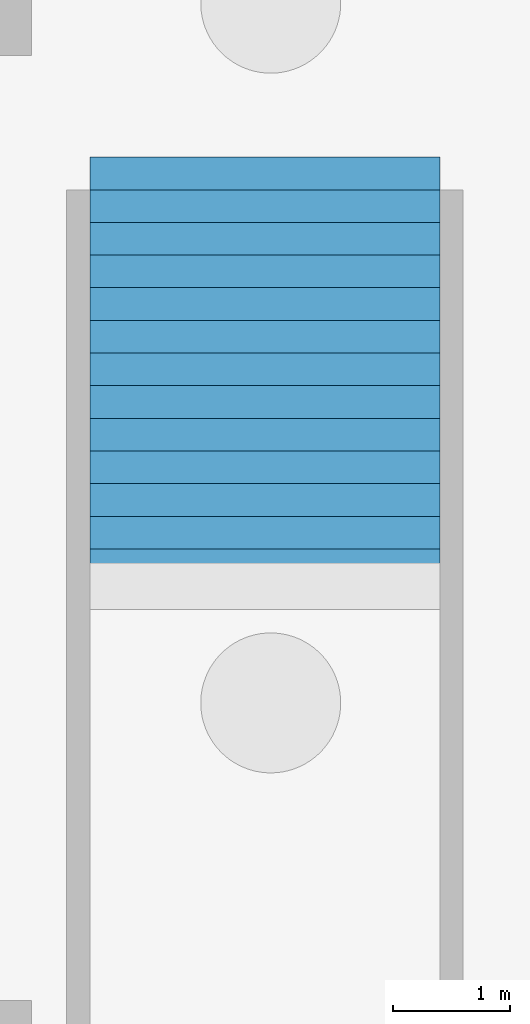
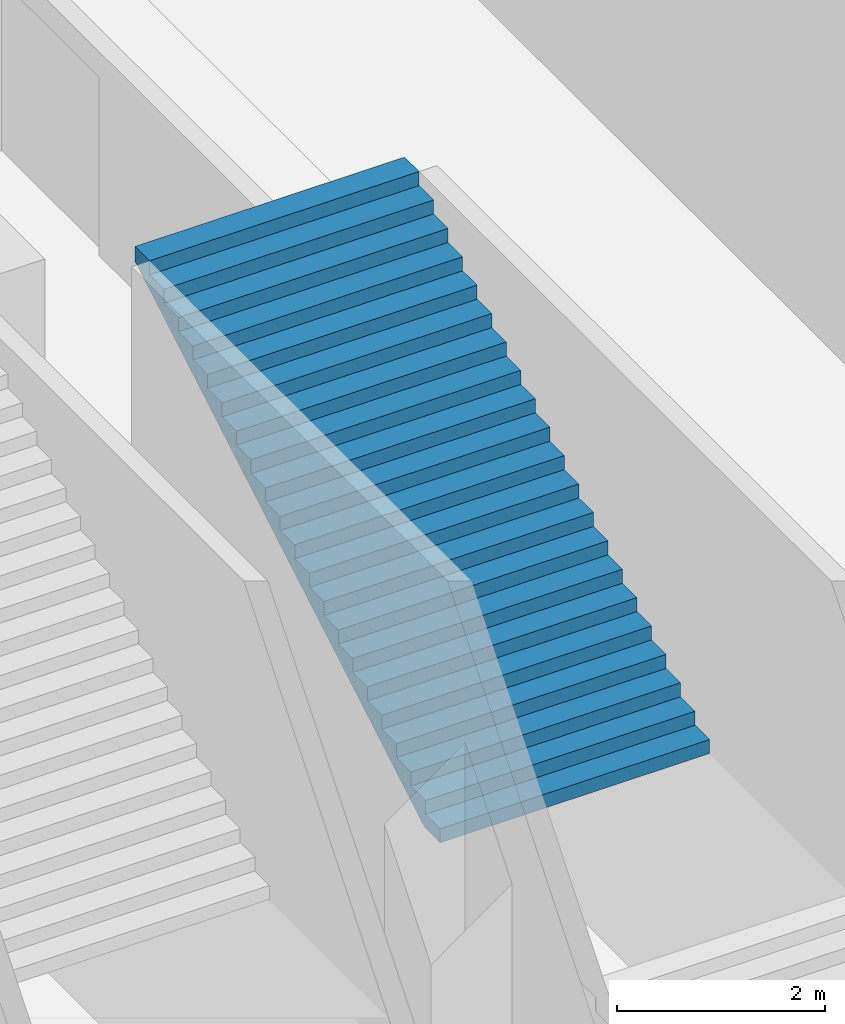
# One storey, part 10 of 16: 1 stair flight, 1 element without a shape of its own.
"""IFC4 building model written with IfcOpenShell, lengths in metres."""

from ifc_helpers import new_model, si_unit, direction, frame, origin, place, context, subcontext, project, spatial, faceted_brep, material, type_object, element, aggregate, save


model = new_model("IFC4")

# Units and contexts
model_context = context("Model", 3, precision=1e-05, world=origin(), true_north=direction((0.0, 1.0)))
body_context = subcontext(model_context, "Body", "Model", "MODEL_VIEW")
ifc_project = project(units=[si_unit("LENGTHUNIT", "METRE"), si_unit("AREAUNIT", "SQUARE_METRE"), si_unit("VOLUMEUNIT", "CUBIC_METRE"), si_unit("PLANEANGLEUNIT", "RADIAN"), si_unit("MASSUNIT", "GRAM", prefix="KILO")], contexts=[model_context])

# Site, building, storey
site_placement = place(None, origin())
site = spatial("IfcSite", under=ifc_project, at=site_placement, CompositionType="ELEMENT")
building_placement = place(site_placement, origin())
building = spatial("IfcBuilding", under=site, at=building_placement, Name="Ogive Plaza Stadium", CompositionType="ELEMENT")
storey_placement = place(building_placement, frame((0.0, 0.0, -11.39990234375)))
storey = spatial("IfcBuildingStorey", under=building, at=storey_placement, Name="B2", CompositionType="ELEMENT", Elevation=-11.39990234375)

# Stair, stair flight
ifc_material_1 = material(Name="Concrete C40/50", Category="concrete")
stair_type = type_object("IfcStairType", Name="Station stair 3000", PredefinedType="TWO_STRAIGHT_RUN_STAIR", material=ifc_material_1)
stair_placement = place(storey_placement, origin())
stair = element("IfcStair", 1, at=stair_placement, inside=storey, type_object=stair_type, Name="Stair PS2", PredefinedType="TWO_STRAIGHT_RUN_STAIR")
ifc_material_2 = material(Name="Concrete C40/50", Category="concrete")
stair_flight_type = type_object("IfcStairFlightType", Name="Station stair flight 3000", PredefinedType="STRAIGHT", material=ifc_material_2)
stair_flight_placement = place(storey_placement, frame((109.949951171875, -34.199951171875, 3.449951171875), z_axis=(0.0, 0.0, 1.0), x_axis=(0.0, 1.0, 0.0)))
stair_flight = element("IfcStairFlight", 2, at=stair_flight_placement, type_object=stair_flight_type, Name="PS2 flight 2", NumberOfRisers=21, NumberOfTreads=20, PredefinedType="STRAIGHT", RiserHeight=0.164285714, TreadLength=0.28, context=body_context, shape_type="Brep", body=[
    faceted_brep([(0.296142578125, -1.5, 0.0), (5.8798828125, -1.5, 3.276123046875), (5.8798828125, -1.5, 3.449951171875), (5.60009765625, -1.5, 3.449951171875), (5.60009765625, -1.5, 3.28564453125), (5.320068359375, -1.5, 3.28564453125), (5.320068359375, -1.5, 3.121337890625), (5.0400390625, -1.5, 3.121337890625), (5.0400390625, -1.5, 2.95703125), (4.760009765625, -1.5, 2.95703125), (4.760009765625, -1.5, 2.79296875), (4.47998046875, -1.5, 2.79296875), (4.47998046875, -1.5, 2.628662109375), (4.199951171875, -1.5, 2.628662109375), (4.199951171875, -1.5, 2.46435546875), (3.919921875, -1.5, 2.46435546875), (3.919921875, -1.5, 2.300048828125), (3.639892578125, -1.5, 2.300048828125), (3.639892578125, -1.5, 2.1357421875), (3.360107421875, -1.5, 2.1357421875), (3.360107421875, -1.5, 1.971435546875), (3.080078125, -1.5, 1.971435546875), (3.080078125, -1.5, 1.80712890625), (2.800048828125, -1.5, 1.80712890625), (2.800048828125, -1.5, 1.642822265625), (2.52001953125, -1.5, 1.642822265625), (2.52001953125, -1.5, 1.478515625), (2.239990234375, -1.5, 1.478515625), (2.239990234375, -1.5, 1.314208984375), (1.9599609375, -1.5, 1.314208984375), (1.9599609375, -1.5, 1.14990234375), (1.679931640625, -1.5, 1.14990234375), (1.679931640625, -1.5, 0.985595703125), (1.39990234375, -1.5, 0.985595703125), (1.39990234375, -1.5, 0.821533203125), (1.1201171875, -1.5, 0.821533203125), (1.1201171875, -1.5, 0.6572265625), (0.840087890625, -1.5, 0.6572265625), (0.840087890625, -1.5, 0.492919921875), (0.56005859375, -1.5, 0.492919921875), (0.56005859375, -1.5, 0.32861328125), (0.280029296875, -1.5, 0.32861328125), (0.280029296875, -1.5, 0.164306640625), (0.0, -1.5, 0.164306640625), (0.0, -1.5, 0.0), (0.0, 1.5, 0.0), (0.0, 1.5, 0.164306640625), (0.280029296875, 1.5, 0.164306640625), (0.280029296875, 1.5, 0.32861328125), (0.56005859375, 1.5, 0.32861328125), (0.56005859375, 1.5, 0.492919921875), (0.840087890625, 1.5, 0.492919921875), (0.840087890625, 1.5, 0.6572265625), (1.1201171875, 1.5, 0.6572265625), (1.1201171875, 1.5, 0.821533203125), (1.39990234375, 1.5, 0.821533203125), (1.39990234375, 1.5, 0.985595703125), (1.679931640625, 1.5, 0.985595703125), (1.679931640625, 1.5, 1.14990234375), (1.9599609375, 1.5, 1.14990234375), (1.9599609375, 1.5, 1.314208984375), (2.239990234375, 1.5, 1.314208984375), (2.239990234375, 1.5, 1.478515625), (2.52001953125, 1.5, 1.478515625), (2.52001953125, 1.5, 1.642822265625), (2.800048828125, 1.5, 1.642822265625), (2.800048828125, 1.5, 1.80712890625), (3.080078125, 1.5, 1.80712890625), (3.080078125, 1.5, 1.971435546875), (3.360107421875, 1.5, 1.971435546875), (3.360107421875, 1.5, 2.1357421875), (3.639892578125, 1.5, 2.1357421875), (3.639892578125, 1.5, 2.300048828125), (3.919921875, 1.5, 2.300048828125), (3.919921875, 1.5, 2.46435546875), (4.199951171875, 1.5, 2.46435546875), (4.199951171875, 1.5, 2.628662109375), (4.47998046875, 1.5, 2.628662109375), (4.47998046875, 1.5, 2.79296875), (4.760009765625, 1.5, 2.79296875), (4.760009765625, 1.5, 2.95703125), (5.0400390625, 1.5, 2.95703125), (5.0400390625, 1.5, 3.121337890625), (5.320068359375, 1.5, 3.121337890625), (5.320068359375, 1.5, 3.28564453125), (5.60009765625, 1.5, 3.28564453125), (5.60009765625, 1.5, 3.449951171875), (5.8798828125, 1.5, 3.449951171875), (5.8798828125, 1.5, 3.276123046875), (0.296142578125, 1.5, 0.0), (0.296142578125, -1.166748046875, 0.0), (5.8798828125, -1.166748046875, 3.276123046875), (0.296142578125, -0.833251953125, 0.0), (5.8798828125, -0.833251953125, 3.276123046875), (0.296142578125, -0.5, 0.0), (5.8798828125, -0.5, 3.276123046875), (0.296142578125, -0.166748046875, 0.0), (5.8798828125, -0.166748046875, 3.276123046875), (0.296142578125, 0.166748046875, 0.0), (5.8798828125, 0.166748046875, 3.276123046875), (0.296142578125, 0.5, 0.0), (5.8798828125, 0.5, 3.276123046875), (0.296142578125, 0.833251953125, 0.0), (5.8798828125, 0.833251953125, 3.276123046875), (0.296142578125, 1.166748046875, 0.0), (5.8798828125, 1.166748046875, 3.276123046875), (5.8798828125, -1.166748046875, 3.449951171875), (5.8798828125, -0.833251953125, 3.449951171875), (5.8798828125, -0.5, 3.449951171875), (5.8798828125, -0.166748046875, 3.449951171875), (5.8798828125, 0.166748046875, 3.449951171875), (5.8798828125, 0.5, 3.449951171875), (5.8798828125, 0.833251953125, 3.449951171875), (5.8798828125, 1.166748046875, 3.449951171875), (5.60009765625, -1.166748046875, 3.449951171875), (5.60009765625, -0.833251953125, 3.449951171875), (5.60009765625, -0.5, 3.449951171875), (5.60009765625, -0.166748046875, 3.449951171875), (5.60009765625, 0.166748046875, 3.449951171875), (5.60009765625, 0.5, 3.449951171875), (5.60009765625, 0.833251953125, 3.449951171875), (5.60009765625, 1.166748046875, 3.449951171875), (5.60009765625, -1.166748046875, 3.28564453125), (5.60009765625, -0.833251953125, 3.28564453125), (5.60009765625, -0.5, 3.28564453125), (5.60009765625, -0.166748046875, 3.28564453125), (5.60009765625, 0.166748046875, 3.28564453125), (5.60009765625, 0.5, 3.28564453125), (5.60009765625, 0.833251953125, 3.28564453125), (5.60009765625, 1.166748046875, 3.28564453125), (5.320068359375, -1.166748046875, 3.28564453125), (5.320068359375, -0.833251953125, 3.28564453125), (5.320068359375, -0.5, 3.28564453125), (5.320068359375, -0.166748046875, 3.28564453125), (5.320068359375, 0.166748046875, 3.28564453125), (5.320068359375, 0.5, 3.28564453125), (5.320068359375, 0.833251953125, 3.28564453125), (5.320068359375, 1.166748046875, 3.28564453125), (5.320068359375, -1.166748046875, 3.121337890625), (5.320068359375, -0.833251953125, 3.121337890625), (5.320068359375, -0.5, 3.121337890625), (5.320068359375, -0.166748046875, 3.121337890625), (5.320068359375, 0.166748046875, 3.121337890625), (5.320068359375, 0.5, 3.121337890625), (5.320068359375, 0.833251953125, 3.121337890625), (5.320068359375, 1.166748046875, 3.121337890625), (5.0400390625, -1.166748046875, 3.121337890625), (5.0400390625, -0.833251953125, 3.121337890625), (5.0400390625, -0.5, 3.121337890625), (5.0400390625, -0.166748046875, 3.121337890625), (5.0400390625, 0.166748046875, 3.121337890625), (5.0400390625, 0.5, 3.121337890625), (5.0400390625, 0.833251953125, 3.121337890625), (5.0400390625, 1.166748046875, 3.121337890625), (5.0400390625, -1.166748046875, 2.95703125), (5.0400390625, -0.833251953125, 2.95703125), (5.0400390625, -0.5, 2.95703125), (5.0400390625, -0.166748046875, 2.95703125), (5.0400390625, 0.166748046875, 2.95703125), (5.0400390625, 0.5, 2.95703125), (5.0400390625, 0.833251953125, 2.95703125), (5.0400390625, 1.166748046875, 2.95703125), (4.760009765625, -1.166748046875, 2.95703125), (4.760009765625, -0.833251953125, 2.95703125), (4.760009765625, -0.5, 2.95703125), (4.760009765625, -0.166748046875, 2.95703125), (4.760009765625, 0.166748046875, 2.95703125), (4.760009765625, 0.5, 2.95703125), (4.760009765625, 0.833251953125, 2.95703125), (4.760009765625, 1.166748046875, 2.95703125), (4.760009765625, -1.166748046875, 2.79296875), (4.760009765625, -0.833251953125, 2.79296875), (4.760009765625, -0.5, 2.79296875), (4.760009765625, -0.166748046875, 2.79296875), (4.760009765625, 0.166748046875, 2.79296875), (4.760009765625, 0.5, 2.79296875), (4.760009765625, 0.833251953125, 2.79296875), (4.760009765625, 1.166748046875, 2.79296875), (4.47998046875, -1.166748046875, 2.79296875), (4.47998046875, -0.833251953125, 2.79296875), (4.47998046875, -0.5, 2.79296875), (4.47998046875, -0.166748046875, 2.79296875), (4.47998046875, 0.166748046875, 2.79296875), (4.47998046875, 0.5, 2.79296875), (4.47998046875, 0.833251953125, 2.79296875), (4.47998046875, 1.166748046875, 2.79296875), (4.47998046875, -1.166748046875, 2.628662109375), (4.47998046875, -0.833251953125, 2.628662109375), (4.47998046875, -0.5, 2.628662109375), (4.47998046875, -0.166748046875, 2.628662109375), (4.47998046875, 0.166748046875, 2.628662109375), (4.47998046875, 0.5, 2.628662109375), (4.47998046875, 0.833251953125, 2.628662109375), (4.47998046875, 1.166748046875, 2.628662109375), (4.199951171875, -1.166748046875, 2.628662109375), (4.199951171875, -0.833251953125, 2.628662109375), (4.199951171875, -0.5, 2.628662109375), (4.199951171875, -0.166748046875, 2.628662109375), (4.199951171875, 0.166748046875, 2.628662109375), (4.199951171875, 0.5, 2.628662109375), (4.199951171875, 0.833251953125, 2.628662109375), (4.199951171875, 1.166748046875, 2.628662109375), (4.199951171875, -1.166748046875, 2.46435546875), (4.199951171875, -0.833251953125, 2.46435546875), (4.199951171875, -0.5, 2.46435546875), (4.199951171875, -0.166748046875, 2.46435546875), (4.199951171875, 0.166748046875, 2.46435546875), (4.199951171875, 0.5, 2.46435546875), (4.199951171875, 0.833251953125, 2.46435546875), (4.199951171875, 1.166748046875, 2.46435546875), (3.919921875, -1.166748046875, 2.46435546875), (3.919921875, -0.833251953125, 2.46435546875), (3.919921875, -0.5, 2.46435546875), (3.919921875, -0.166748046875, 2.46435546875), (3.919921875, 0.166748046875, 2.46435546875), (3.919921875, 0.5, 2.46435546875), (3.919921875, 0.833251953125, 2.46435546875), (3.919921875, 1.166748046875, 2.46435546875), (3.919921875, -1.166748046875, 2.300048828125), (3.919921875, -0.833251953125, 2.300048828125), (3.919921875, -0.5, 2.300048828125), (3.919921875, -0.166748046875, 2.300048828125), (3.919921875, 0.166748046875, 2.300048828125), (3.919921875, 0.5, 2.300048828125), (3.919921875, 0.833251953125, 2.300048828125), (3.919921875, 1.166748046875, 2.300048828125), (3.639892578125, -1.166748046875, 2.300048828125), (3.639892578125, -0.833251953125, 2.300048828125), (3.639892578125, -0.5, 2.300048828125), (3.639892578125, -0.166748046875, 2.300048828125), (3.639892578125, 0.166748046875, 2.300048828125), (3.639892578125, 0.5, 2.300048828125), (3.639892578125, 0.833251953125, 2.300048828125), (3.639892578125, 1.166748046875, 2.300048828125), (3.639892578125, -1.166748046875, 2.1357421875), (3.639892578125, -0.833251953125, 2.1357421875), (3.639892578125, -0.5, 2.1357421875), (3.639892578125, -0.166748046875, 2.1357421875), (3.639892578125, 0.166748046875, 2.1357421875), (3.639892578125, 0.5, 2.1357421875), (3.639892578125, 0.833251953125, 2.1357421875), (3.639892578125, 1.166748046875, 2.1357421875), (3.360107421875, -1.166748046875, 2.1357421875), (3.360107421875, -0.833251953125, 2.1357421875), (3.360107421875, -0.5, 2.1357421875), (3.360107421875, -0.166748046875, 2.1357421875), (3.360107421875, 0.166748046875, 2.1357421875), (3.360107421875, 0.5, 2.1357421875), (3.360107421875, 0.833251953125, 2.1357421875), (3.360107421875, 1.166748046875, 2.1357421875), (3.360107421875, -1.166748046875, 1.971435546875), (3.360107421875, -0.833251953125, 1.971435546875), (3.360107421875, -0.5, 1.971435546875), (3.360107421875, -0.166748046875, 1.971435546875), (3.360107421875, 0.166748046875, 1.971435546875), (3.360107421875, 0.5, 1.971435546875), (3.360107421875, 0.833251953125, 1.971435546875), (3.360107421875, 1.166748046875, 1.971435546875), (3.080078125, -1.166748046875, 1.971435546875), (3.080078125, -0.833251953125, 1.971435546875), (3.080078125, -0.5, 1.971435546875), (3.080078125, -0.166748046875, 1.971435546875), (3.080078125, 0.166748046875, 1.971435546875), (3.080078125, 0.5, 1.971435546875), (3.080078125, 0.833251953125, 1.971435546875), (3.080078125, 1.166748046875, 1.971435546875), (3.080078125, -1.166748046875, 1.80712890625), (3.080078125, -0.833251953125, 1.80712890625), (3.080078125, -0.5, 1.80712890625), (3.080078125, -0.166748046875, 1.80712890625), (3.080078125, 0.166748046875, 1.80712890625), (3.080078125, 0.5, 1.80712890625), (3.080078125, 0.833251953125, 1.80712890625), (3.080078125, 1.166748046875, 1.80712890625), (2.800048828125, -1.166748046875, 1.80712890625), (2.800048828125, -0.833251953125, 1.80712890625), (2.800048828125, -0.5, 1.80712890625), (2.800048828125, -0.166748046875, 1.80712890625), (2.800048828125, 0.166748046875, 1.80712890625), (2.800048828125, 0.5, 1.80712890625), (2.800048828125, 0.833251953125, 1.80712890625), (2.800048828125, 1.166748046875, 1.80712890625), (2.800048828125, -1.166748046875, 1.642822265625), (2.800048828125, -0.833251953125, 1.642822265625), (2.800048828125, -0.5, 1.642822265625), (2.800048828125, -0.166748046875, 1.642822265625), (2.800048828125, 0.166748046875, 1.642822265625), (2.800048828125, 0.5, 1.642822265625), (2.800048828125, 0.833251953125, 1.642822265625), (2.800048828125, 1.166748046875, 1.642822265625), (2.52001953125, -1.166748046875, 1.642822265625), (2.52001953125, -0.833251953125, 1.642822265625), (2.52001953125, -0.5, 1.642822265625), (2.52001953125, -0.166748046875, 1.642822265625), (2.52001953125, 0.166748046875, 1.642822265625), (2.52001953125, 0.5, 1.642822265625), (2.52001953125, 0.833251953125, 1.642822265625), (2.52001953125, 1.166748046875, 1.642822265625), (2.52001953125, -1.166748046875, 1.478515625), (2.52001953125, -0.833251953125, 1.478515625), (2.52001953125, -0.5, 1.478515625), (2.52001953125, -0.166748046875, 1.478515625), (2.52001953125, 0.166748046875, 1.478515625), (2.52001953125, 0.5, 1.478515625), (2.52001953125, 0.833251953125, 1.478515625), (2.52001953125, 1.166748046875, 1.478515625), (2.239990234375, -1.166748046875, 1.478515625), (2.239990234375, -0.833251953125, 1.478515625), (2.239990234375, -0.5, 1.478515625), (2.239990234375, -0.166748046875, 1.478515625), (2.239990234375, 0.166748046875, 1.478515625), (2.239990234375, 0.5, 1.478515625), (2.239990234375, 0.833251953125, 1.478515625), (2.239990234375, 1.166748046875, 1.478515625), (2.239990234375, -1.166748046875, 1.314208984375), (2.239990234375, -0.833251953125, 1.314208984375), (2.239990234375, -0.5, 1.314208984375), (2.239990234375, -0.166748046875, 1.314208984375), (2.239990234375, 0.166748046875, 1.314208984375), (2.239990234375, 0.5, 1.314208984375), (2.239990234375, 0.833251953125, 1.314208984375), (2.239990234375, 1.166748046875, 1.314208984375), (1.9599609375, -1.166748046875, 1.314208984375), (1.9599609375, -0.833251953125, 1.314208984375), (1.9599609375, -0.5, 1.314208984375), (1.9599609375, -0.166748046875, 1.314208984375), (1.9599609375, 0.166748046875, 1.314208984375), (1.9599609375, 0.5, 1.314208984375), (1.9599609375, 0.833251953125, 1.314208984375), (1.9599609375, 1.166748046875, 1.314208984375), (1.9599609375, -1.166748046875, 1.14990234375), (1.9599609375, -0.833251953125, 1.14990234375), (1.9599609375, -0.5, 1.14990234375), (1.9599609375, -0.166748046875, 1.14990234375), (1.9599609375, 0.166748046875, 1.14990234375), (1.9599609375, 0.5, 1.14990234375), (1.9599609375, 0.833251953125, 1.14990234375), (1.9599609375, 1.166748046875, 1.14990234375), (1.679931640625, -1.166748046875, 1.14990234375), (1.679931640625, -0.833251953125, 1.14990234375), (1.679931640625, -0.5, 1.14990234375), (1.679931640625, -0.166748046875, 1.14990234375), (1.679931640625, 0.166748046875, 1.14990234375), (1.679931640625, 0.5, 1.14990234375), (1.679931640625, 0.833251953125, 1.14990234375), (1.679931640625, 1.166748046875, 1.14990234375), (1.679931640625, -1.166748046875, 0.985595703125), (1.679931640625, -0.833251953125, 0.985595703125), (1.679931640625, -0.5, 0.985595703125), (1.679931640625, -0.166748046875, 0.985595703125), (1.679931640625, 0.166748046875, 0.985595703125), (1.679931640625, 0.5, 0.985595703125), (1.679931640625, 0.833251953125, 0.985595703125), (1.679931640625, 1.166748046875, 0.985595703125), (1.39990234375, -1.166748046875, 0.985595703125), (1.39990234375, -0.833251953125, 0.985595703125), (1.39990234375, -0.5, 0.985595703125), (1.39990234375, -0.166748046875, 0.985595703125), (1.39990234375, 0.166748046875, 0.985595703125), (1.39990234375, 0.5, 0.985595703125), (1.39990234375, 0.833251953125, 0.985595703125), (1.39990234375, 1.166748046875, 0.985595703125), (1.39990234375, -1.166748046875, 0.821533203125), (1.39990234375, -0.833251953125, 0.821533203125), (1.39990234375, -0.5, 0.821533203125), (1.39990234375, -0.166748046875, 0.821533203125), (1.39990234375, 0.166748046875, 0.821533203125), (1.39990234375, 0.5, 0.821533203125), (1.39990234375, 0.833251953125, 0.821533203125), (1.39990234375, 1.166748046875, 0.821533203125), (1.1201171875, -1.166748046875, 0.821533203125), (1.1201171875, -0.833251953125, 0.821533203125), (1.1201171875, -0.5, 0.821533203125), (1.1201171875, -0.166748046875, 0.821533203125), (1.1201171875, 0.166748046875, 0.821533203125), (1.1201171875, 0.5, 0.821533203125), (1.1201171875, 0.833251953125, 0.821533203125), (1.1201171875, 1.166748046875, 0.821533203125), (1.1201171875, -1.166748046875, 0.6572265625), (1.1201171875, -0.833251953125, 0.6572265625), (1.1201171875, -0.5, 0.6572265625), (1.1201171875, -0.166748046875, 0.6572265625), (1.1201171875, 0.166748046875, 0.6572265625), (1.1201171875, 0.5, 0.6572265625), (1.1201171875, 0.833251953125, 0.6572265625), (1.1201171875, 1.166748046875, 0.6572265625), (0.840087890625, -1.166748046875, 0.6572265625), (0.840087890625, -0.833251953125, 0.6572265625), (0.840087890625, -0.5, 0.6572265625), (0.840087890625, -0.166748046875, 0.6572265625), (0.840087890625, 0.166748046875, 0.6572265625), (0.840087890625, 0.5, 0.6572265625), (0.840087890625, 0.833251953125, 0.6572265625), (0.840087890625, 1.166748046875, 0.6572265625), (0.840087890625, -1.166748046875, 0.492919921875), (0.840087890625, -0.833251953125, 0.492919921875), (0.840087890625, -0.5, 0.492919921875), (0.840087890625, -0.166748046875, 0.492919921875), (0.840087890625, 0.166748046875, 0.492919921875), (0.840087890625, 0.5, 0.492919921875), (0.840087890625, 0.833251953125, 0.492919921875), (0.840087890625, 1.166748046875, 0.492919921875), (0.56005859375, -1.166748046875, 0.492919921875), (0.56005859375, -0.833251953125, 0.492919921875), (0.56005859375, -0.5, 0.492919921875), (0.56005859375, -0.166748046875, 0.492919921875), (0.56005859375, 0.166748046875, 0.492919921875), (0.56005859375, 0.5, 0.492919921875), (0.56005859375, 0.833251953125, 0.492919921875), (0.56005859375, 1.166748046875, 0.492919921875), (0.56005859375, -1.166748046875, 0.32861328125), (0.56005859375, -0.833251953125, 0.32861328125), (0.56005859375, -0.5, 0.32861328125), (0.56005859375, -0.166748046875, 0.32861328125), (0.56005859375, 0.166748046875, 0.32861328125), (0.56005859375, 0.5, 0.32861328125), (0.56005859375, 0.833251953125, 0.32861328125), (0.56005859375, 1.166748046875, 0.32861328125), (0.280029296875, -1.166748046875, 0.32861328125), (0.280029296875, -0.833251953125, 0.32861328125), (0.280029296875, -0.5, 0.32861328125), (0.280029296875, -0.166748046875, 0.32861328125), (0.280029296875, 0.166748046875, 0.32861328125), (0.280029296875, 0.5, 0.32861328125), (0.280029296875, 0.833251953125, 0.32861328125), (0.280029296875, 1.166748046875, 0.32861328125), (0.280029296875, -1.166748046875, 0.164306640625), (0.280029296875, -0.833251953125, 0.164306640625), (0.280029296875, -0.5, 0.164306640625), (0.280029296875, -0.166748046875, 0.164306640625), (0.280029296875, 0.166748046875, 0.164306640625), (0.280029296875, 0.5, 0.164306640625), (0.280029296875, 0.833251953125, 0.164306640625), (0.280029296875, 1.166748046875, 0.164306640625), (0.0, -1.166748046875, 0.164306640625), (0.0, -0.833251953125, 0.164306640625), (0.0, -0.5, 0.164306640625), (0.0, -0.166748046875, 0.164306640625), (0.0, 0.166748046875, 0.164306640625), (0.0, 0.5, 0.164306640625), (0.0, 0.833251953125, 0.164306640625), (0.0, 1.166748046875, 0.164306640625), (0.0, -1.166748046875, 0.0), (0.0, -0.833251953125, 0.0), (0.0, -0.5, 0.0), (0.0, -0.166748046875, 0.0), (0.0, 0.166748046875, 0.0), (0.0, 0.5, 0.0), (0.0, 0.833251953125, 0.0), (0.0, 1.166748046875, 0.0)], [[[0, 1, 2, 3, 4, 5, 6, 7, 8, 9, 10, 11, 12, 13, 14, 15, 16, 17, 18, 19, 20, 21, 22, 23, 24, 25, 26, 27, 28, 29, 30, 31, 32, 33, 34, 35, 36, 37, 38, 39, 40, 41, 42, 43, 44]], [[45, 46, 47, 48, 49, 50, 51, 52, 53, 54, 55, 56, 57, 58, 59, 60, 61, 62, 63, 64, 65, 66, 67, 68, 69, 70, 71, 72, 73, 74, 75, 76, 77, 78, 79, 80, 81, 82, 83, 84, 85, 86, 87, 88, 89]], [[0, 90, 91, 1]], [[90, 92, 93, 91]], [[92, 94, 95, 93]], [[94, 96, 97, 95]], [[96, 98, 99, 97]], [[98, 100, 101, 99]], [[100, 102, 103, 101]], [[102, 104, 105, 103]], [[104, 89, 88, 105]], [[1, 91, 106, 2]], [[91, 93, 107, 106]], [[93, 95, 108, 107]], [[95, 97, 109, 108]], [[97, 99, 110, 109]], [[99, 101, 111, 110]], [[101, 103, 112, 111]], [[103, 105, 113, 112]], [[105, 88, 87, 113]], [[2, 106, 114, 3]], [[106, 107, 115, 114]], [[107, 108, 116, 115]], [[108, 109, 117, 116]], [[109, 110, 118, 117]], [[110, 111, 119, 118]], [[111, 112, 120, 119]], [[112, 113, 121, 120]], [[113, 87, 86, 121]], [[3, 114, 122, 4]], [[114, 115, 123, 122]], [[115, 116, 124, 123]], [[116, 117, 125, 124]], [[117, 118, 126, 125]], [[118, 119, 127, 126]], [[119, 120, 128, 127]], [[120, 121, 129, 128]], [[121, 86, 85, 129]], [[4, 122, 130, 5]], [[122, 123, 131, 130]], [[123, 124, 132, 131]], [[124, 125, 133, 132]], [[125, 126, 134, 133]], [[126, 127, 135, 134]], [[127, 128, 136, 135]], [[128, 129, 137, 136]], [[129, 85, 84, 137]], [[5, 130, 138, 6]], [[130, 131, 139, 138]], [[131, 132, 140, 139]], [[132, 133, 141, 140]], [[133, 134, 142, 141]], [[134, 135, 143, 142]], [[135, 136, 144, 143]], [[136, 137, 145, 144]], [[137, 84, 83, 145]], [[6, 138, 146, 7]], [[138, 139, 147, 146]], [[139, 140, 148, 147]], [[140, 141, 149, 148]], [[141, 142, 150, 149]], [[142, 143, 151, 150]], [[143, 144, 152, 151]], [[144, 145, 153, 152]], [[145, 83, 82, 153]], [[7, 146, 154, 8]], [[146, 147, 155, 154]], [[147, 148, 156, 155]], [[148, 149, 157, 156]], [[149, 150, 158, 157]], [[150, 151, 159, 158]], [[151, 152, 160, 159]], [[152, 153, 161, 160]], [[153, 82, 81, 161]], [[8, 154, 162, 9]], [[154, 155, 163, 162]], [[155, 156, 164, 163]], [[156, 157, 165, 164]], [[157, 158, 166, 165]], [[158, 159, 167, 166]], [[159, 160, 168, 167]], [[160, 161, 169, 168]], [[161, 81, 80, 169]], [[9, 162, 170, 10]], [[162, 163, 171, 170]], [[163, 164, 172, 171]], [[164, 165, 173, 172]], [[165, 166, 174, 173]], [[166, 167, 175, 174]], [[167, 168, 176, 175]], [[168, 169, 177, 176]], [[169, 80, 79, 177]], [[10, 170, 178, 11]], [[170, 171, 179, 178]], [[171, 172, 180, 179]], [[172, 173, 181, 180]], [[173, 174, 182, 181]], [[174, 175, 183, 182]], [[175, 176, 184, 183]], [[176, 177, 185, 184]], [[177, 79, 78, 185]], [[11, 178, 186, 12]], [[178, 179, 187, 186]], [[179, 180, 188, 187]], [[180, 181, 189, 188]], [[181, 182, 190, 189]], [[182, 183, 191, 190]], [[183, 184, 192, 191]], [[184, 185, 193, 192]], [[185, 78, 77, 193]], [[12, 186, 194, 13]], [[186, 187, 195, 194]], [[187, 188, 196, 195]], [[188, 189, 197, 196]], [[189, 190, 198, 197]], [[190, 191, 199, 198]], [[191, 192, 200, 199]], [[192, 193, 201, 200]], [[193, 77, 76, 201]], [[13, 194, 202, 14]], [[194, 195, 203, 202]], [[195, 196, 204, 203]], [[196, 197, 205, 204]], [[197, 198, 206, 205]], [[198, 199, 207, 206]], [[199, 200, 208, 207]], [[200, 201, 209, 208]], [[201, 76, 75, 209]], [[14, 202, 210, 15]], [[202, 203, 211, 210]], [[203, 204, 212, 211]], [[204, 205, 213, 212]], [[205, 206, 214, 213]], [[206, 207, 215, 214]], [[207, 208, 216, 215]], [[208, 209, 217, 216]], [[209, 75, 74, 217]], [[15, 210, 218, 16]], [[210, 211, 219, 218]], [[211, 212, 220, 219]], [[212, 213, 221, 220]], [[213, 214, 222, 221]], [[214, 215, 223, 222]], [[215, 216, 224, 223]], [[216, 217, 225, 224]], [[217, 74, 73, 225]], [[16, 218, 226, 17]], [[218, 219, 227, 226]], [[219, 220, 228, 227]], [[220, 221, 229, 228]], [[221, 222, 230, 229]], [[222, 223, 231, 230]], [[223, 224, 232, 231]], [[224, 225, 233, 232]], [[225, 73, 72, 233]], [[17, 226, 234, 18]], [[226, 227, 235, 234]], [[227, 228, 236, 235]], [[228, 229, 237, 236]], [[229, 230, 238, 237]], [[230, 231, 239, 238]], [[231, 232, 240, 239]], [[232, 233, 241, 240]], [[233, 72, 71, 241]], [[18, 234, 242, 19]], [[234, 235, 243, 242]], [[235, 236, 244, 243]], [[236, 237, 245, 244]], [[237, 238, 246, 245]], [[238, 239, 247, 246]], [[239, 240, 248, 247]], [[240, 241, 249, 248]], [[241, 71, 70, 249]], [[19, 242, 250, 20]], [[242, 243, 251, 250]], [[243, 244, 252, 251]], [[244, 245, 253, 252]], [[245, 246, 254, 253]], [[246, 247, 255, 254]], [[247, 248, 256, 255]], [[248, 249, 257, 256]], [[249, 70, 69, 257]], [[20, 250, 258, 21]], [[250, 251, 259, 258]], [[251, 252, 260, 259]], [[252, 253, 261, 260]], [[253, 254, 262, 261]], [[254, 255, 263, 262]], [[255, 256, 264, 263]], [[256, 257, 265, 264]], [[257, 69, 68, 265]], [[21, 258, 266, 22]], [[258, 259, 267, 266]], [[259, 260, 268, 267]], [[260, 261, 269, 268]], [[261, 262, 270, 269]], [[262, 263, 271, 270]], [[263, 264, 272, 271]], [[264, 265, 273, 272]], [[265, 68, 67, 273]], [[22, 266, 274, 23]], [[266, 267, 275, 274]], [[267, 268, 276, 275]], [[268, 269, 277, 276]], [[269, 270, 278, 277]], [[270, 271, 279, 278]], [[271, 272, 280, 279]], [[272, 273, 281, 280]], [[273, 67, 66, 281]], [[23, 274, 282, 24]], [[274, 275, 283, 282]], [[275, 276, 284, 283]], [[276, 277, 285, 284]], [[277, 278, 286, 285]], [[278, 279, 287, 286]], [[279, 280, 288, 287]], [[280, 281, 289, 288]], [[281, 66, 65, 289]], [[24, 282, 290, 25]], [[282, 283, 291, 290]], [[283, 284, 292, 291]], [[284, 285, 293, 292]], [[285, 286, 294, 293]], [[286, 287, 295, 294]], [[287, 288, 296, 295]], [[288, 289, 297, 296]], [[289, 65, 64, 297]], [[25, 290, 298, 26]], [[290, 291, 299, 298]], [[291, 292, 300, 299]], [[292, 293, 301, 300]], [[293, 294, 302, 301]], [[294, 295, 303, 302]], [[295, 296, 304, 303]], [[296, 297, 305, 304]], [[297, 64, 63, 305]], [[26, 298, 306, 27]], [[298, 299, 307, 306]], [[299, 300, 308, 307]], [[300, 301, 309, 308]], [[301, 302, 310, 309]], [[302, 303, 311, 310]], [[303, 304, 312, 311]], [[304, 305, 313, 312]], [[305, 63, 62, 313]], [[27, 306, 314, 28]], [[306, 307, 315, 314]], [[307, 308, 316, 315]], [[308, 309, 317, 316]], [[309, 310, 318, 317]], [[310, 311, 319, 318]], [[311, 312, 320, 319]], [[312, 313, 321, 320]], [[313, 62, 61, 321]], [[28, 314, 322, 29]], [[314, 315, 323, 322]], [[315, 316, 324, 323]], [[316, 317, 325, 324]], [[317, 318, 326, 325]], [[318, 319, 327, 326]], [[319, 320, 328, 327]], [[320, 321, 329, 328]], [[321, 61, 60, 329]], [[29, 322, 330, 30]], [[322, 323, 331, 330]], [[323, 324, 332, 331]], [[324, 325, 333, 332]], [[325, 326, 334, 333]], [[326, 327, 335, 334]], [[327, 328, 336, 335]], [[328, 329, 337, 336]], [[329, 60, 59, 337]], [[30, 330, 338, 31]], [[330, 331, 339, 338]], [[331, 332, 340, 339]], [[332, 333, 341, 340]], [[333, 334, 342, 341]], [[334, 335, 343, 342]], [[335, 336, 344, 343]], [[336, 337, 345, 344]], [[337, 59, 58, 345]], [[31, 338, 346, 32]], [[338, 339, 347, 346]], [[339, 340, 348, 347]], [[340, 341, 349, 348]], [[341, 342, 350, 349]], [[342, 343, 351, 350]], [[343, 344, 352, 351]], [[344, 345, 353, 352]], [[345, 58, 57, 353]], [[32, 346, 354, 33]], [[346, 347, 355, 354]], [[347, 348, 356, 355]], [[348, 349, 357, 356]], [[349, 350, 358, 357]], [[350, 351, 359, 358]], [[351, 352, 360, 359]], [[352, 353, 361, 360]], [[353, 57, 56, 361]], [[33, 354, 362, 34]], [[354, 355, 363, 362]], [[355, 356, 364, 363]], [[356, 357, 365, 364]], [[357, 358, 366, 365]], [[358, 359, 367, 366]], [[359, 360, 368, 367]], [[360, 361, 369, 368]], [[361, 56, 55, 369]], [[34, 362, 370, 35]], [[362, 363, 371, 370]], [[363, 364, 372, 371]], [[364, 365, 373, 372]], [[365, 366, 374, 373]], [[366, 367, 375, 374]], [[367, 368, 376, 375]], [[368, 369, 377, 376]], [[369, 55, 54, 377]], [[35, 370, 378, 36]], [[370, 371, 379, 378]], [[371, 372, 380, 379]], [[372, 373, 381, 380]], [[373, 374, 382, 381]], [[374, 375, 383, 382]], [[375, 376, 384, 383]], [[376, 377, 385, 384]], [[377, 54, 53, 385]], [[36, 378, 386, 37]], [[378, 379, 387, 386]], [[379, 380, 388, 387]], [[380, 381, 389, 388]], [[381, 382, 390, 389]], [[382, 383, 391, 390]], [[383, 384, 392, 391]], [[384, 385, 393, 392]], [[385, 53, 52, 393]], [[37, 386, 394, 38]], [[386, 387, 395, 394]], [[387, 388, 396, 395]], [[388, 389, 397, 396]], [[389, 390, 398, 397]], [[390, 391, 399, 398]], [[391, 392, 400, 399]], [[392, 393, 401, 400]], [[393, 52, 51, 401]], [[38, 394, 402, 39]], [[394, 395, 403, 402]], [[395, 396, 404, 403]], [[396, 397, 405, 404]], [[397, 398, 406, 405]], [[398, 399, 407, 406]], [[399, 400, 408, 407]], [[400, 401, 409, 408]], [[401, 51, 50, 409]], [[39, 402, 410, 40]], [[402, 403, 411, 410]], [[403, 404, 412, 411]], [[404, 405, 413, 412]], [[405, 406, 414, 413]], [[406, 407, 415, 414]], [[407, 408, 416, 415]], [[408, 409, 417, 416]], [[409, 50, 49, 417]], [[40, 410, 418, 41]], [[410, 411, 419, 418]], [[411, 412, 420, 419]], [[412, 413, 421, 420]], [[413, 414, 422, 421]], [[414, 415, 423, 422]], [[415, 416, 424, 423]], [[416, 417, 425, 424]], [[417, 49, 48, 425]], [[41, 418, 426, 42]], [[418, 419, 427, 426]], [[419, 420, 428, 427]], [[420, 421, 429, 428]], [[421, 422, 430, 429]], [[422, 423, 431, 430]], [[423, 424, 432, 431]], [[424, 425, 433, 432]], [[425, 48, 47, 433]], [[42, 426, 434, 43]], [[426, 427, 435, 434]], [[427, 428, 436, 435]], [[428, 429, 437, 436]], [[429, 430, 438, 437]], [[430, 431, 439, 438]], [[431, 432, 440, 439]], [[432, 433, 441, 440]], [[433, 47, 46, 441]], [[43, 434, 442, 44]], [[434, 435, 443, 442]], [[435, 436, 444, 443]], [[436, 437, 445, 444]], [[437, 438, 446, 445]], [[438, 439, 447, 446]], [[439, 440, 448, 447]], [[440, 441, 449, 448]], [[441, 46, 45, 449]], [[44, 442, 90, 0]], [[442, 443, 92, 90]], [[443, 444, 94, 92]], [[444, 445, 96, 94]], [[445, 446, 98, 96]], [[446, 447, 100, 98]], [[447, 448, 102, 100]], [[448, 449, 104, 102]], [[449, 45, 89, 104]]]),
])
aggregate(stair, [stair_flight])

save(model, "model.ifc")
